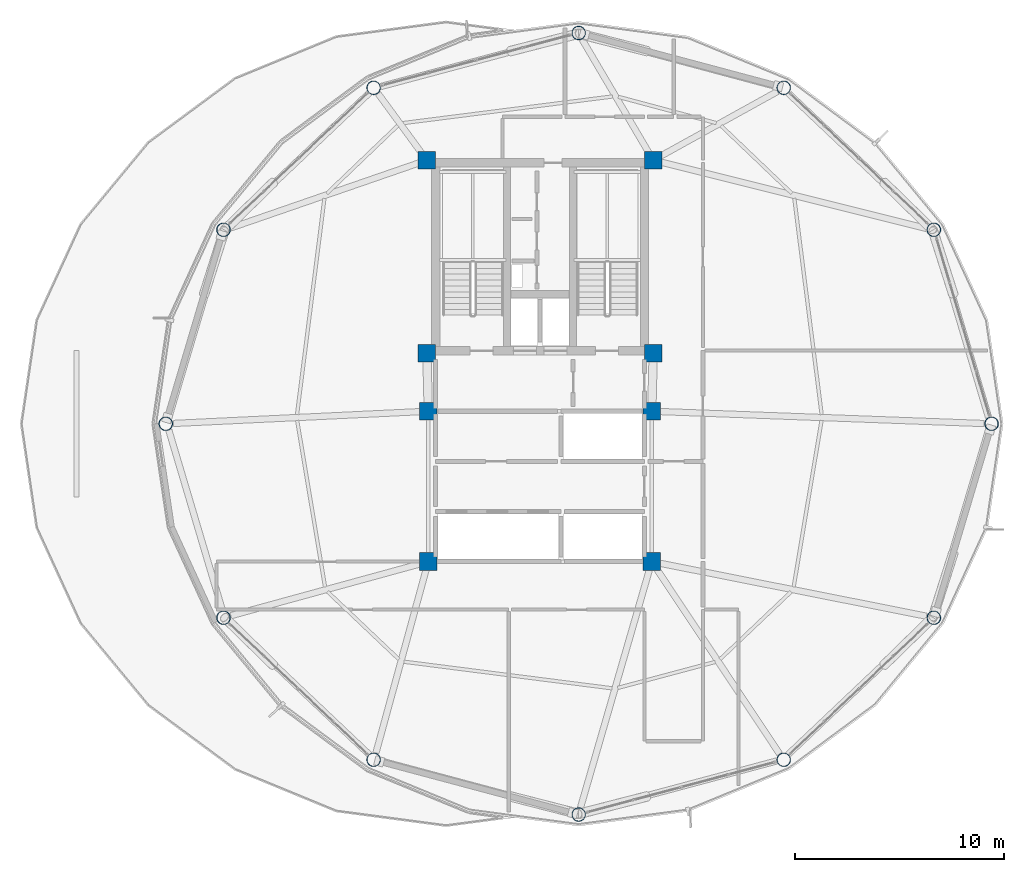
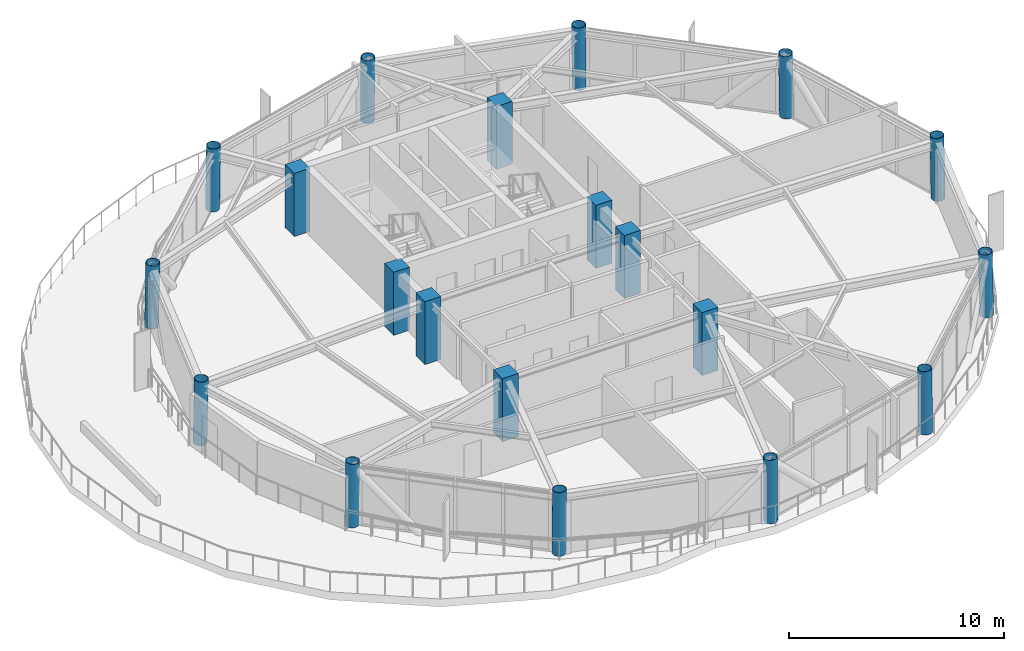
# One storey, part 1 of 25: 20 columns.
"""IFC4 building model written with IfcOpenShell, lengths in metres."""

from ifc_helpers import new_model, si_unit, direction, frame, origin, origin_2d, place, context, subcontext, project, spatial, rectangle, hollow_circle, extrude, material, material_profile, profile_set, type_object, element, save


model = new_model("IFC4")

# Units and contexts
model_context = context("Model", 3, precision=1e-05, world=origin(), true_north=direction((0.0, 1.0)))
body_context = subcontext(model_context, "Body", "Model", "MODEL_VIEW")
ifc_project = project(units=[si_unit("LENGTHUNIT", "METRE"), si_unit("AREAUNIT", "SQUARE_METRE"), si_unit("VOLUMEUNIT", "CUBIC_METRE"), si_unit("PLANEANGLEUNIT", "RADIAN"), si_unit("MASSUNIT", "GRAM", prefix="KILO")], contexts=[model_context])

# Site, building, storey
site_placement = place(None, origin())
site = spatial("IfcSite", under=ifc_project, at=site_placement, CompositionType="ELEMENT")
building_placement = place(site_placement, origin())
building = spatial("IfcBuilding", under=site, at=building_placement, Name="Varnakorn Sky Granary", CompositionType="ELEMENT")
storey_placement = place(building_placement, frame((0.0, 0.0, 178.800048828125)))
storey = spatial("IfcBuildingStorey", under=building, at=storey_placement, Name="L44", CompositionType="ELEMENT", Elevation=178.800048828125)

# Columns
ifc_material_1 = material(Name="Steel S460M", Category="steel")
ifc_material_profile_1 = material_profile(ifc_material_1, hollow_circle(Radius=0.330078125, WallThickness=0.02490234375, at=origin_2d()), Name="CHS 660x25")
ifc_profile_set_1 = profile_set([ifc_material_profile_1], Name="Steel S460M")
column_type_1 = type_object("IfcColumnType", Name="COL-DC-Z4", PredefinedType="COLUMN", material=ifc_profile_set_1)
column_1_placement = place(storey_placement, frame((24.632080078125, 0.0, 0.0), z_axis=(-0.018776993553, 0.0, 0.999823696715), x_axis=(0.0, -1.0, 0.0)))
element("IfcColumn", 1, at=column_1_placement, inside=storey, type_object=column_type_1, Name="Drum Perimeter Column DC01 L44", PredefinedType="COLUMN", context=body_context, shape_type="SweptSolid", body=[
    extrude(hollow_circle(Radius=0.330078125, WallThickness=0.02490234375, at=origin_2d()), origin(), (0.0, 0.0, 1.0), 3.57568359375),
])
column_2_placement = place(storey_placement, frame((21.86474609375, 9.29052734375, 0.0), z_axis=(-0.016182903558, -0.004779760545, 0.999857623625), x_axis=(0.283261555535, -0.959042695168, 0.0)))
element("IfcColumn", 2, at=column_2_placement, inside=storey, type_object=column_type_1, Name="Drum Perimeter Column DC02 L44", PredefinedType="COLUMN", context=body_context, shape_type="SweptSolid", body=[
    extrude(hollow_circle(Radius=0.330078125, WallThickness=0.02490234375, at=origin_2d()), origin(), (0.0, 0.0, 1.0), 3.575439453125),
])
for number, where, z_axis, x_axis, name in (
    (3, (14.673583984375, 16.091552734375, 0.0), (-0.009423563403, -0.008194402959, 0.999922021066), (0.656178714925, -0.754605522164, 0.0), "Drum Perimeter Column DC03 L44"),
    (4, (4.85009765625, 18.716064453125, 0.0), (0.0, -0.00956044538, 0.999954297898), (1.0, 0.0, 0.0), "Drum Perimeter Column DC04 L44"),
    (5, (-4.973388671875, 16.091552734375, 0.0), (0.00935528271, -0.008194408213, 0.999922662189), (0.658893247603, 0.75223645768, 0.0), "Drum Perimeter Column DC05 L44"),
):
    element("IfcColumn", number, at=place(storey_placement, frame(where, z_axis=z_axis, x_axis=x_axis)), inside=storey, type_object=column_type_1, Name=name, PredefinedType="COLUMN", context=body_context, shape_type="SweptSolid", body=[
        extrude(hollow_circle(Radius=0.330078125, WallThickness=0.02490234375, at=origin_2d()), origin(), (0.0, 0.0, 1.0), 3.5751953125),
    ])
column_3_placement = place(storey_placement, frame((-12.164794921875, 9.29052734375, 0.0), z_axis=(0.016251167856, -0.004779755252, 0.999856516448), x_axis=(0.282166323992, 0.959365501571, 0.0)))
element("IfcColumn", 6, at=column_3_placement, inside=storey, type_object=column_type_1, Name="Drum Perimeter Column DC06 L44", PredefinedType="COLUMN", context=body_context, shape_type="SweptSolid", body=[
    extrude(hollow_circle(Radius=0.330078125, WallThickness=0.02490234375, at=origin_2d()), origin(), (0.0, 0.0, 1.0), 3.575439453125),
])
column_4_placement = place(storey_placement, frame((-14.931884765625, 0.0, 0.0), z_axis=(0.018708737519, 0.0, 0.999824976254), x_axis=(0.0, 1.0, 0.0)))
element("IfcColumn", 7, at=column_4_placement, inside=storey, type_object=column_type_1, Name="Drum Perimeter Column DC07 L44", PredefinedType="COLUMN", context=body_context, shape_type="SweptSolid", body=[
    extrude(hollow_circle(Radius=0.330078125, WallThickness=0.02490234375, at=origin_2d()), origin(), (0.0, 0.0, 1.0), 3.57568359375),
])
column_5_placement = place(storey_placement, frame((-12.164794921875, -9.29052734375, 0.0), z_axis=(0.016251167856, 0.004779755252, 0.999856516448), x_axis=(-0.282166323992, 0.959365501571, 0.0)))
element("IfcColumn", 8, at=column_5_placement, inside=storey, type_object=column_type_1, Name="Drum Perimeter Column DC08 L44", PredefinedType="COLUMN", context=body_context, shape_type="SweptSolid", body=[
    extrude(hollow_circle(Radius=0.330078125, WallThickness=0.02490234375, at=origin_2d()), origin(), (0.0, 0.0, 1.0), 3.575439453125),
])
for number, where, z_axis, x_axis, name in (
    (9, (-4.973388671875, -16.091552734375, 0.0), (0.00935528271, 0.008194408213, 0.999922662189), (-0.658893247603, 0.75223645768, 0.0), "Drum Perimeter Column DC09 L44"),
    (10, (4.85009765625, -18.716064453125, 0.0), (0.0, 0.00956044538, 0.999954297898), (-1.0, 0.0, 0.0), "Drum Perimeter Column DC10 L44"),
    (11, (14.673583984375, -16.091552734375, 0.0), (-0.009423563403, 0.008194402959, 0.999922021066), (-0.656178714925, -0.754605522164, 0.0), "Drum Perimeter Column DC11 L44"),
):
    element("IfcColumn", number, at=place(storey_placement, frame(where, z_axis=z_axis, x_axis=x_axis)), inside=storey, type_object=column_type_1, Name=name, PredefinedType="COLUMN", context=body_context, shape_type="SweptSolid", body=[
        extrude(hollow_circle(Radius=0.330078125, WallThickness=0.02490234375, at=origin_2d()), origin(), (0.0, 0.0, 1.0), 3.5751953125),
    ])
column_6_placement = place(storey_placement, frame((21.86474609375, -9.29052734375, 0.0), z_axis=(-0.016182903558, 0.004779760545, 0.999857623625), x_axis=(-0.283261555535, -0.959042695168, 0.0)))
element("IfcColumn", 12, at=column_6_placement, inside=storey, type_object=column_type_1, Name="Drum Perimeter Column DC12 L44", PredefinedType="COLUMN", context=body_context, shape_type="SweptSolid", body=[
    extrude(hollow_circle(Radius=0.330078125, WallThickness=0.02490234375, at=origin_2d()), origin(), (0.0, 0.0, 1.0), 3.575439453125),
])
ifc_material_2 = material(Name="Concrete C50/60", Category="concrete")
ifc_material_profile_2 = material_profile(ifc_material_2, rectangle(XDim=0.85009765625, YDim=0.85009765625, at=origin_2d()), Name="RC 850x850")
ifc_profile_set_2 = profile_set([ifc_material_profile_2], Name="Concrete C50/60")
column_type_2 = type_object("IfcColumnType", Name="COL-MC-Z4", PredefinedType="COLUMN", material=ifc_profile_set_2)
for number, where, z_axis, x_axis, name in (
    (13, (-2.419921875, 12.6201171875, 0.0), (0.0, 0.0, 1.0), (1.0, 0.0, 0.0), "Backbone Mega-Column MC1 L44"),
    (14, (8.419921875, 12.6201171875, 0.0), (0.0, 0.0, 1.0), (1.0, 0.0, 0.0), "Backbone Mega-Column MC2 L44"),
    (15, (-2.419921875, 3.3798828125, 0.0), (0.0, 0.0, 1.0), (1.0, 0.0, 0.0), "Backbone Mega-Column MC3 L44"),
    (16, (8.419921875, 3.3798828125, 0.0), (0.0, 0.0, 1.0), (1.0, 0.0, 0.0), "Backbone Mega-Column MC4 L44"),
    (17, (-2.35009765625, 0.60009765625, 0.0), (0.0, 0.0, 1.0), (1.0, 0.0, 0.0), "Backbone Mega-Column MC5 L44"),
    (18, (8.35009765625, 0.60009765625, 0.0), (0.0, 0.0, 1.0), (1.0, 0.0, 0.0), "Backbone Mega-Column MC6 L44"),
    (19, (-2.35009765625, -6.60009765625, 0.0), (0.0, 0.0, 1.0), (1.0, 0.0, 0.0), "Backbone Mega-Column MC7 L44"),
    (20, (8.35009765625, -6.60009765625, 0.0), (0.0, 0.0, 1.0), (1.0, 0.0, 0.0), "Backbone Mega-Column MC8 L44"),
):
    element("IfcColumn", number, at=place(storey_placement, frame(where, z_axis=z_axis, x_axis=x_axis)), inside=storey, type_object=column_type_2, Name=name, PredefinedType="COLUMN", context=body_context, shape_type="SweptSolid", body=[
        extrude(rectangle(XDim=0.85009765625, YDim=0.85009765625, at=origin_2d()), origin(), (0.0, 0.0, 1.0), 3.574951171875),
    ])

save(model, "model.ifc")
